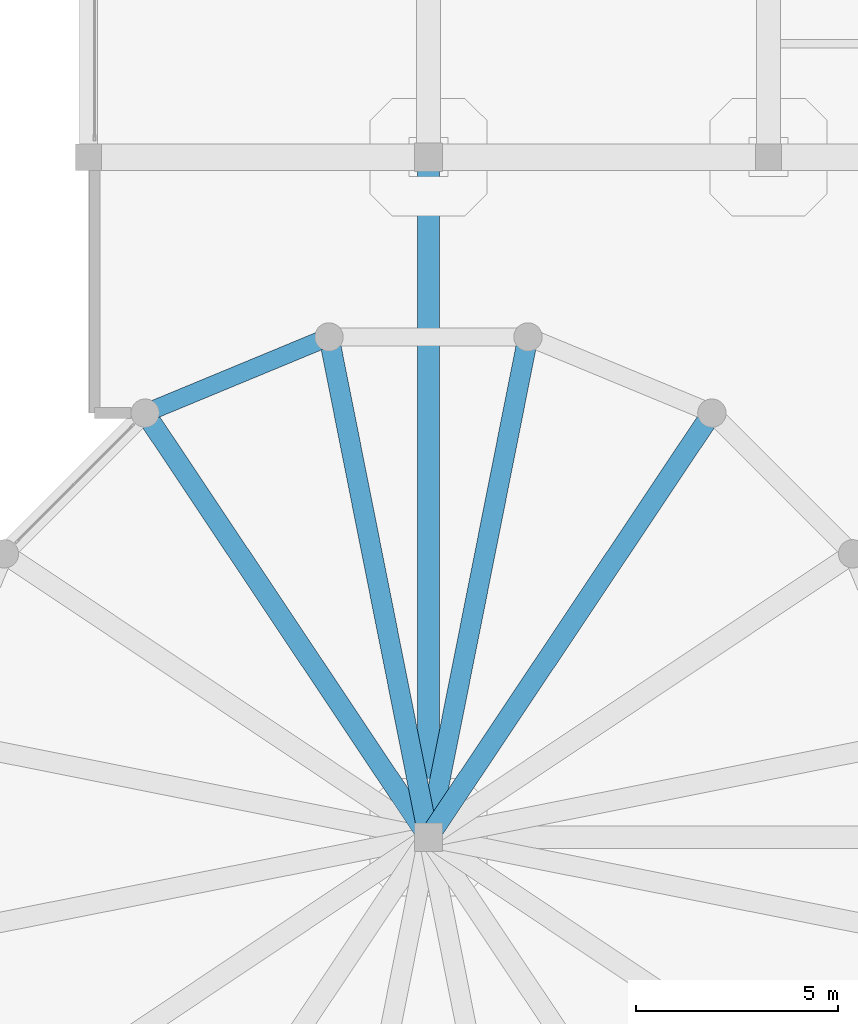
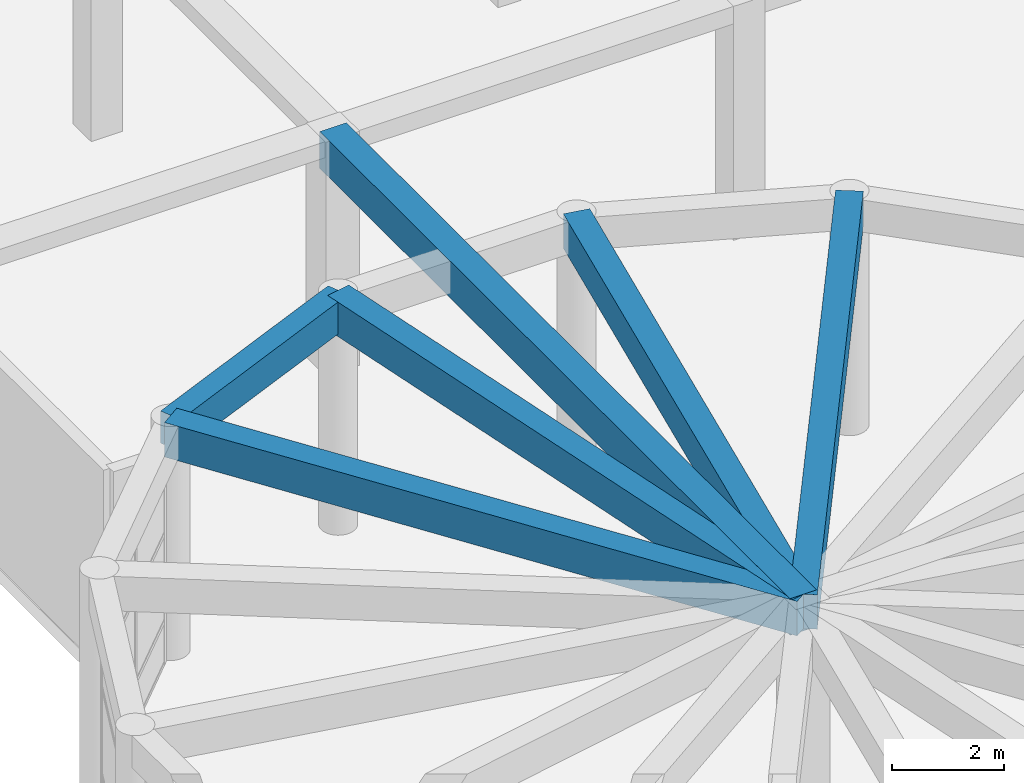
# One storey, part 14 of 95: 6 beams.
"""IFC4 building model written with IfcOpenShell, lengths in metres."""

import ifcopenshell
import ifcopenshell.guid

model = None  # the IFC model being written
_history = None  # IfcOwnerHistory: only IFC2X3 demands one
_inside = {}  # id of a spatial element -> (the spatial element, [elements in it])
_under = {}  # id of a project, library or spatial element -> (it, [spatial elements below it])
_declared = {}  # id of a project -> (the project, [libraries it declares])
_typed = {}  # id of a type object -> (the type object, [elements of that type])
_made_of = {}  # id of a material, layer set ... -> (it, [elements and type objects made of it])


def new_model(schema):
    """Start an empty IFC model of exactly this schema.

    Asked for "IFC4X3", IfcOpenShell would pick the latest addendum, in which some entities
    have other attributes; the version numbers below select the first issue.
    IFC2X3 requires an IfcOwnerHistory on every rooted entity: one is made here for all.
    """
    global model, _history
    if schema == "IFC4X3":
        model = ifcopenshell.file(schema_version=(4, 3, 0, 0))
    else:
        model = ifcopenshell.file(schema=schema)
    _inside.clear()
    _under.clear()
    _declared.clear()
    _typed.clear()
    _made_of.clear()
    _history = None
    if model.schema == "IFC2X3":
        org = make("IfcOrganization", Name="unknown")
        user = make(
            "IfcPersonAndOrganization",
            ThePerson=make("IfcPerson", FamilyName="unknown"),
            TheOrganization=org,
        )
        app = make(
            "IfcApplication",
            ApplicationDeveloper=org,
            Version="unknown",
            ApplicationFullName="unknown",
            ApplicationIdentifier="unknown",
        )
        _history = make(
            "IfcOwnerHistory",
            OwningUser=user,
            OwningApplication=app,
            ChangeAction="ADDED",
            CreationDate=0,
        )
    return model


def make(cls, **values):
    """One entity of the class cls with the attributes given. An attribute that is None is left unset."""
    return model.create_entity(
        cls, **{name: value for name, value in values.items() if value is not None}
    )


def rooted(cls, **values):
    """An entity with a GlobalId (a new one), such as an element, a storey or a relation."""
    return make(cls, GlobalId=ifcopenshell.guid.new(), OwnerHistory=_history, **values)


def si_unit(unit_type, name, prefix=None):
    """IfcSIUnit, for example si_unit("LENGTHUNIT", "METRE", prefix="MILLI")."""
    return make("IfcSIUnit", UnitType=unit_type, Prefix=prefix, Name=name)


def assignment(units):
    """IfcUnitAssignment: the units of a project."""
    return None if units is None else make("IfcUnitAssignment", Units=units)


def point(xyz):
    """IfcCartesianPoint."""
    return None if xyz is None else make("IfcCartesianPoint", Coordinates=xyz)


def direction(xyz):
    """IfcDirection."""
    return None if xyz is None else make("IfcDirection", DirectionRatios=xyz)


def frame(location, z_axis=None, x_axis=None):
    """IfcAxis2Placement3D, a coordinate frame: its origin and axes. An axis left out is left unset."""
    return make(
        "IfcAxis2Placement3D",
        Location=point(location),
        Axis=direction(z_axis),
        RefDirection=direction(x_axis),
    )


def frame_2d(location, x_axis=None):
    """IfcAxis2Placement2D, a coordinate frame in the plane: its origin and x axis."""
    return make(
        "IfcAxis2Placement2D", Location=point(location), RefDirection=direction(x_axis)
    )


def origin():
    """The frame at (0, 0, 0) with its axes left unset."""
    return frame((0.0, 0.0, 0.0))


def origin_2d():
    """The frame at (0, 0) in the plane with its x axis left unset."""
    return frame_2d((0.0, 0.0))


def place(relative_to, where):
    """IfcLocalPlacement: puts the frame where relative to a parent placement (None: the world)."""
    return make(
        "IfcLocalPlacement", PlacementRelTo=relative_to, RelativePlacement=where
    )


def context(
    kind, dimensions, precision=None, world=None, true_north=None, identifier=None
):
    """IfcGeometricRepresentationContext, for example the 3D "Model" context."""
    return make(
        "IfcGeometricRepresentationContext",
        ContextIdentifier=identifier,
        ContextType=kind,
        CoordinateSpaceDimension=dimensions,
        Precision=precision,
        WorldCoordinateSystem=world,
        TrueNorth=true_north,
    )


def subcontext(parent, identifier, kind, view, scale=None):
    """IfcGeometricRepresentationSubContext, for example "Body" below "Model"."""
    return make(
        "IfcGeometricRepresentationSubContext",
        ContextIdentifier=identifier,
        ContextType=kind,
        ParentContext=parent,
        TargetScale=scale,
        TargetView=view,
    )


def project(units=None, contexts=None):
    """IfcProject with its units and contexts."""
    return rooted(
        "IfcProject",
        Name="project",
        RepresentationContexts=contexts,
        UnitsInContext=assignment(units),
    )


def spatial(cls, under=None, at=None, **own):
    """A site, building, storey or space (cls), placed at a placement, below another one or the project."""
    s = rooted(cls, ObjectPlacement=at, **own)
    if under is not None:
        _under.setdefault(under.id(), (under, []))[1].append(s)
    return s


def profile(cls, at=None, kind="AREA", **sizes):
    """A parametric profile (cls). Its sizes go by their IFC names, for example OverallWidth=200.0."""
    return make(cls, ProfileType=kind, Position=at, **sizes)


def rectangle(**sizes):
    """IfcRectangleProfileDef."""
    return profile("IfcRectangleProfileDef", **sizes)


def extrude(swept, where, along, depth):
    """IfcExtrudedAreaSolid: the profile swept, set in the frame where, extruded along a direction by depth."""
    return make(
        "IfcExtrudedAreaSolid",
        SweptArea=swept,
        Position=where,
        ExtrudedDirection=direction(along),
        Depth=depth,
    )


def shape(context_of_items, identifier, shape_type, items):
    """IfcShapeRepresentation: the items that make up one representation, for example the "Body"."""
    return make(
        "IfcShapeRepresentation",
        ContextOfItems=context_of_items,
        RepresentationIdentifier=identifier,
        RepresentationType=shape_type,
        Items=items,
    )


def material(Name=None, Category=None):
    """IfcMaterial."""
    return make("IfcMaterial", Name=Name, Category=Category)


def material_profile(
    of_material, cross_section, Name=None, Category=None, Priority=None
):
    """IfcMaterialProfile: a cross section and its material."""
    return make(
        "IfcMaterialProfile",
        Name=Name,
        Material=of_material,
        Profile=cross_section,
        Priority=Priority,
        Category=Category,
    )


def profile_set(profiles, Name=None, composite=None):
    """IfcMaterialProfileSet."""
    return make(
        "IfcMaterialProfileSet",
        Name=Name,
        MaterialProfiles=profiles,
        CompositeProfile=composite,
    )


def made_of(thing, what):
    """Note that an element or type object is made of a material, layer set ...; save() writes the relation."""
    if what is not None:
        _made_of.setdefault(what.id(), (what, []))[1].append(thing)
    return thing


def type_object(cls, material=None, **own):
    """A type object (cls), such as IfcWallType, which elements share."""
    return made_of(rooted(cls, **own), material)


def element(
    cls,
    number,
    at=None,
    inside=None,
    cuts=None,
    type_object=None,
    material=None,
    context=None,
    identifier="Body",
    shape_type=None,
    held_by="IfcProductDefinitionShape",
    body=None,
    shapes=None,
    **own,
):
    """One element of the class cls, such as IfcWall. Its Tag is "e" and its number.

    at: its placement. inside: the storey or other place that contains it. cuts: it is an
    opening in that element (IfcRelVoidsElement). A single representation is given by context,
    identifier, shape_type and body (its items); several are given by shapes. held_by: the class
    of the entity that holds the representations. save() writes the other relations.
    """
    e = rooted(cls, Tag="e%d" % number, ObjectPlacement=at, **own)
    if body is not None:
        shapes = [shape(context, identifier, shape_type, body)]
    if shapes is not None:
        e.Representation = make(held_by, Representations=shapes)
    if inside is not None:
        _inside.setdefault(inside.id(), (inside, []))[1].append(e)
    if cuts is not None:
        rooted(
            "IfcRelVoidsElement", RelatingBuildingElement=cuts, RelatedOpeningElement=e
        )
    if type_object is not None:
        _typed.setdefault(type_object.id(), (type_object, []))[1].append(e)
    return made_of(e, material)


def aggregate(whole, parts):
    """IfcRelAggregates: a whole, such as a stair, and the parts it consists of."""
    return rooted("IfcRelAggregates", RelatingObject=whole, RelatedObjects=parts)


def save(model, path):
    """Write the relations noted so far, then the file.

    IfcRelAggregates (storeys below a building ...), IfcRelContainedInSpatialStructure (elements
    in a storey), IfcRelDefinesByType, IfcRelAssociatesMaterial and IfcRelDeclares: one each for
    every whole, place, type object, material and project.
    """
    for whole, parts in _under.values():
        aggregate(whole, parts)
    for where, things in _inside.values():
        rooted(
            "IfcRelContainedInSpatialStructure",
            RelatedElements=things,
            RelatingStructure=where,
        )
    for kind, things in _typed.values():
        rooted("IfcRelDefinesByType", RelatedObjects=things, RelatingType=kind)
    for what, things in _made_of.values():
        rooted("IfcRelAssociatesMaterial", RelatedObjects=things, RelatingMaterial=what)
    for by, libraries in _declared.values():
        rooted("IfcRelDeclares", RelatingContext=by, RelatedDefinitions=libraries)
    model.write(path)


model = new_model("IFC4")

# Units and contexts
model_context = context("Model", 3, precision=1e-05, world=origin(), true_north=direction((0.0, 1.0)))
body_context = subcontext(model_context, "Body", "Model", "MODEL_VIEW")
ifc_project = project(units=[si_unit("LENGTHUNIT", "METRE"), si_unit("AREAUNIT", "SQUARE_METRE"), si_unit("VOLUMEUNIT", "CUBIC_METRE"), si_unit("PLANEANGLEUNIT", "RADIAN"), si_unit("MASSUNIT", "GRAM", prefix="KILO")], contexts=[model_context])

# Site, building, storey
site_placement = place(None, origin())
site = spatial("IfcSite", under=ifc_project, at=site_placement, CompositionType="ELEMENT")
building_placement = place(site_placement, origin())
building = spatial("IfcBuilding", under=site, at=building_placement, Name="Almacenes y Pasaje Nevantli", CompositionType="ELEMENT")
storey_placement = place(building_placement, frame((0.0, 0.0, 11.39990234375)))
storey = spatial("IfcBuildingStorey", under=building, at=storey_placement, Name="L03", CompositionType="ELEMENT", Elevation=11.39990234375)

# Beams
ifc_material_1 = material(Name="Concrete C35/45", Category="concrete")
ifc_material_profile_1 = material_profile(ifc_material_1, rectangle(XDim=0.449951171875, YDim=0.699951171875, at=origin_2d()), Name="RC-BM-450x700")
ifc_profile_set_1 = profile_set([ifc_material_profile_1], Name="Concrete C35/45")
beam_type_1 = type_object("IfcBeamType", Name="BM-RC-450x700", PredefinedType="SPANDREL", material=ifc_profile_set_1)
beam_1_placement = place(storey_placement, frame((5.94189453125, 20.7578125, 4.75), z_axis=(-0.923880043688, -0.382682198272, 0.0), x_axis=(0.382682198272, -0.923880043688, 0.0)))
element("IfcBeam", 1, at=beam_1_placement, inside=storey, type_object=beam_type_1, Name="L03 Rotunda Ring Spandrel Beam #5", PredefinedType="SPANDREL", context=body_context, shape_type="SweptSolid", body=[
    extrude(rectangle(XDim=0.449951171875, YDim=0.699951171875, at=origin_2d()), origin(), (0.0, 0.0, 1.0), 4.916259765625),
])
ifc_material_2 = material(Name="Concrete C35/45", Category="concrete")
ifc_material_profile_2 = material_profile(ifc_material_2, rectangle(XDim=0.5, YDim=0.75, at=origin_2d()), Name="RC-BM-500x750")
ifc_profile_set_2 = profile_set([ifc_material_profile_2], Name="Concrete C35/45")
beam_type_2 = type_object("IfcBeamType", Name="BM-RC-500x750", PredefinedType="BEAM", material=ifc_profile_set_2)
for number, where, z_axis, x_axis, name in (
    (2, (8.39990234375, 8.39990234375, 4.72509765625), (0.55557181757, 0.831468553537, 0.0), (-0.831468553537, 0.55557181757, 0.0), "L03 Rotunda Radial Girder #3"),
    (3, (8.39990234375, 8.39990234375, 4.72509765625), (0.195098780036, 0.980783597961, 0.0), (-0.980783597961, 0.195098780036, 0.0), "L03 Rotunda Radial Girder #4"),
    (4, (8.39990234375, 8.39990234375, 4.72509765625), (-0.195080141274, 0.980787305424, 0.0), (-0.980787305424, -0.195080141274, 0.0), "L03 Rotunda Radial Girder #5"),
):
    element("IfcBeam", number, at=place(storey_placement, frame(where, z_axis=z_axis, x_axis=x_axis)), inside=storey, type_object=beam_type_2, Name=name, PredefinedType="BEAM", context=body_context, shape_type="SweptSolid", body=[
        extrude(rectangle(XDim=0.5, YDim=0.75, at=origin_2d()), origin(), (0.0, 0.0, 1.0), 12.60009765625),
    ])
beam_2_placement = place(storey_placement, frame((8.39990234375, 8.39990234375, 4.72509765625), z_axis=(-0.55555842186, 0.831477504146, 0.0), x_axis=(-0.831477504146, -0.55555842186, 0.0)))
element("IfcBeam", 5, at=beam_2_placement, inside=storey, type_object=beam_type_2, Name="L03 Rotunda Radial Girder #6", PredefinedType="BEAM", context=body_context, shape_type="SweptSolid", body=[
    extrude(rectangle(XDim=0.5, YDim=0.75, at=origin_2d()), origin(), (0.0, 0.0, 1.0), 12.599853515625),
])
ifc_material_3 = material(Name="Concrete C35/45", Category="concrete")
ifc_material_profile_3 = material_profile(ifc_material_3, rectangle(XDim=0.550048828125, YDim=0.800048828125, at=origin_2d()), Name="RC-BM-550x800")
ifc_profile_set_3 = profile_set([ifc_material_profile_3], Name="Concrete C35/45")
beam_type_3 = type_object("IfcBeamType", Name="BM-RC-550x800", PredefinedType="BEAM", material=ifc_profile_set_3)
beam_3_placement = place(storey_placement, frame((8.39990234375, 8.39990234375, 4.7001953125), z_axis=(0.0, 1.0, 0.0), x_axis=(-1.0, 0.0, 0.0)))
element("IfcBeam", 6, at=beam_3_placement, inside=storey, type_object=beam_type_3, Name="L03 Rotunda-to-Grid Collector Girder #2749", PredefinedType="BEAM", context=body_context, shape_type="SweptSolid", body=[
    extrude(rectangle(XDim=0.550048828125, YDim=0.800048828125, at=origin_2d()), origin(), (0.0, 0.0, 1.0), 16.800048828125),
])

save(model, "model.ifc")
